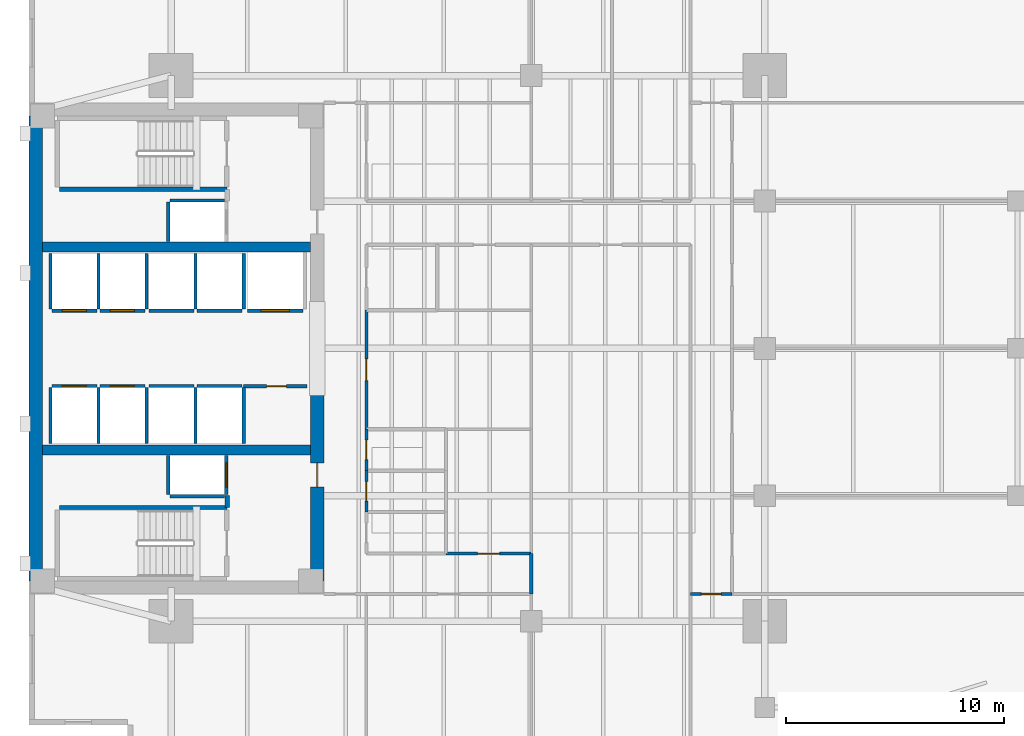
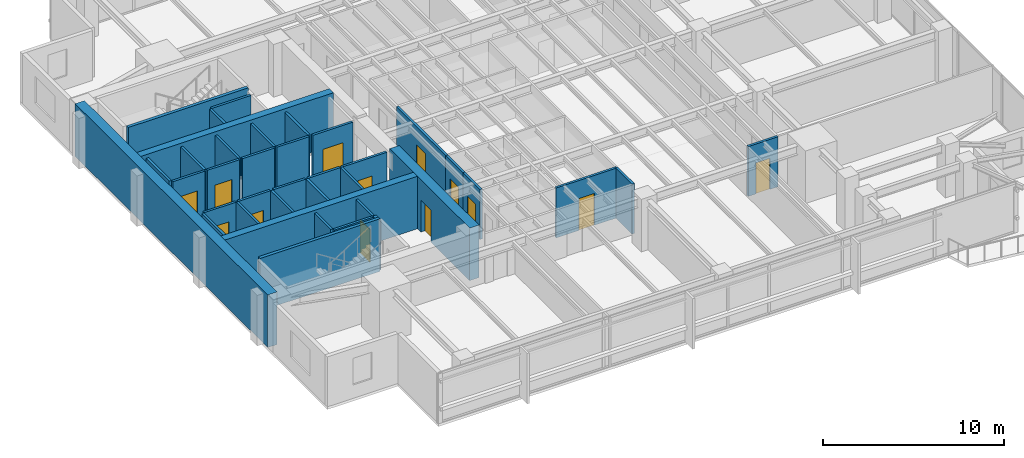
# One storey, part 8 of 14: 38 walls, 13 doors, 13 openings.
"""IFC4 building model written with IfcOpenShell, lengths in metres."""

import ifcopenshell
import ifcopenshell.guid

model = None  # the IFC model being written
_history = None  # IfcOwnerHistory: only IFC2X3 demands one
_inside = {}  # id of a spatial element -> (the spatial element, [elements in it])
_under = {}  # id of a project, library or spatial element -> (it, [spatial elements below it])
_declared = {}  # id of a project -> (the project, [libraries it declares])
_typed = {}  # id of a type object -> (the type object, [elements of that type])
_made_of = {}  # id of a material, layer set ... -> (it, [elements and type objects made of it])


def new_model(schema):
    """Start an empty IFC model of exactly this schema.

    Asked for "IFC4X3", IfcOpenShell would pick the latest addendum, in which some entities
    have other attributes; the version numbers below select the first issue.
    IFC2X3 requires an IfcOwnerHistory on every rooted entity: one is made here for all.
    """
    global model, _history
    if schema == "IFC4X3":
        model = ifcopenshell.file(schema_version=(4, 3, 0, 0))
    else:
        model = ifcopenshell.file(schema=schema)
    _inside.clear()
    _under.clear()
    _declared.clear()
    _typed.clear()
    _made_of.clear()
    _history = None
    if model.schema == "IFC2X3":
        org = make("IfcOrganization", Name="unknown")
        user = make(
            "IfcPersonAndOrganization",
            ThePerson=make("IfcPerson", FamilyName="unknown"),
            TheOrganization=org,
        )
        app = make(
            "IfcApplication",
            ApplicationDeveloper=org,
            Version="unknown",
            ApplicationFullName="unknown",
            ApplicationIdentifier="unknown",
        )
        _history = make(
            "IfcOwnerHistory",
            OwningUser=user,
            OwningApplication=app,
            ChangeAction="ADDED",
            CreationDate=0,
        )
    return model


def make(cls, **values):
    """One entity of the class cls with the attributes given. An attribute that is None is left unset."""
    return model.create_entity(
        cls, **{name: value for name, value in values.items() if value is not None}
    )


def rooted(cls, **values):
    """An entity with a GlobalId (a new one), such as an element, a storey or a relation."""
    return make(cls, GlobalId=ifcopenshell.guid.new(), OwnerHistory=_history, **values)


def si_unit(unit_type, name, prefix=None):
    """IfcSIUnit, for example si_unit("LENGTHUNIT", "METRE", prefix="MILLI")."""
    return make("IfcSIUnit", UnitType=unit_type, Prefix=prefix, Name=name)


def assignment(units):
    """IfcUnitAssignment: the units of a project."""
    return None if units is None else make("IfcUnitAssignment", Units=units)


def point(xyz):
    """IfcCartesianPoint."""
    return None if xyz is None else make("IfcCartesianPoint", Coordinates=xyz)


def direction(xyz):
    """IfcDirection."""
    return None if xyz is None else make("IfcDirection", DirectionRatios=xyz)


def frame(location, z_axis=None, x_axis=None):
    """IfcAxis2Placement3D, a coordinate frame: its origin and axes. An axis left out is left unset."""
    return make(
        "IfcAxis2Placement3D",
        Location=point(location),
        Axis=direction(z_axis),
        RefDirection=direction(x_axis),
    )


def frame_2d(location, x_axis=None):
    """IfcAxis2Placement2D, a coordinate frame in the plane: its origin and x axis."""
    return make(
        "IfcAxis2Placement2D", Location=point(location), RefDirection=direction(x_axis)
    )


def origin():
    """The frame at (0, 0, 0) with its axes left unset."""
    return frame((0.0, 0.0, 0.0))


def place(relative_to, where):
    """IfcLocalPlacement: puts the frame where relative to a parent placement (None: the world)."""
    return make(
        "IfcLocalPlacement", PlacementRelTo=relative_to, RelativePlacement=where
    )


def context(
    kind, dimensions, precision=None, world=None, true_north=None, identifier=None
):
    """IfcGeometricRepresentationContext, for example the 3D "Model" context."""
    return make(
        "IfcGeometricRepresentationContext",
        ContextIdentifier=identifier,
        ContextType=kind,
        CoordinateSpaceDimension=dimensions,
        Precision=precision,
        WorldCoordinateSystem=world,
        TrueNorth=true_north,
    )


def subcontext(parent, identifier, kind, view, scale=None):
    """IfcGeometricRepresentationSubContext, for example "Body" below "Model"."""
    return make(
        "IfcGeometricRepresentationSubContext",
        ContextIdentifier=identifier,
        ContextType=kind,
        ParentContext=parent,
        TargetScale=scale,
        TargetView=view,
    )


def project(units=None, contexts=None):
    """IfcProject with its units and contexts."""
    return rooted(
        "IfcProject",
        Name="project",
        RepresentationContexts=contexts,
        UnitsInContext=assignment(units),
    )


def spatial(cls, under=None, at=None, **own):
    """A site, building, storey or space (cls), placed at a placement, below another one or the project."""
    s = rooted(cls, ObjectPlacement=at, **own)
    if under is not None:
        _under.setdefault(under.id(), (under, []))[1].append(s)
    return s


def profile(cls, at=None, kind="AREA", **sizes):
    """A parametric profile (cls). Its sizes go by their IFC names, for example OverallWidth=200.0."""
    return make(cls, ProfileType=kind, Position=at, **sizes)


def rectangle(**sizes):
    """IfcRectangleProfileDef."""
    return profile("IfcRectangleProfileDef", **sizes)


def extrude(swept, where, along, depth):
    """IfcExtrudedAreaSolid: the profile swept, set in the frame where, extruded along a direction by depth."""
    return make(
        "IfcExtrudedAreaSolid",
        SweptArea=swept,
        Position=where,
        ExtrudedDirection=direction(along),
        Depth=depth,
    )


def shape(context_of_items, identifier, shape_type, items):
    """IfcShapeRepresentation: the items that make up one representation, for example the "Body"."""
    return make(
        "IfcShapeRepresentation",
        ContextOfItems=context_of_items,
        RepresentationIdentifier=identifier,
        RepresentationType=shape_type,
        Items=items,
    )


def material(Name=None, Category=None):
    """IfcMaterial."""
    return make("IfcMaterial", Name=Name, Category=Category)


def layer(
    of_material, thickness, ventilated=None, Name=None, Category=None, Priority=None
):
    """IfcMaterialLayer: one layer of a wall or slab, of a material (None: an air gap)."""
    return make(
        "IfcMaterialLayer",
        Material=of_material,
        LayerThickness=thickness,
        IsVentilated=ventilated,
        Name=Name,
        Category=Category,
        Priority=Priority,
    )


def layer_set(layers, Name=None):
    """IfcMaterialLayerSet."""
    return make("IfcMaterialLayerSet", MaterialLayers=layers, LayerSetName=Name)


def made_of(thing, what):
    """Note that an element or type object is made of a material, layer set ...; save() writes the relation."""
    if what is not None:
        _made_of.setdefault(what.id(), (what, []))[1].append(thing)
    return thing


def type_object(cls, material=None, **own):
    """A type object (cls), such as IfcWallType, which elements share."""
    return made_of(rooted(cls, **own), material)


def element(
    cls,
    number,
    at=None,
    inside=None,
    cuts=None,
    type_object=None,
    material=None,
    context=None,
    identifier="Body",
    shape_type=None,
    held_by="IfcProductDefinitionShape",
    body=None,
    shapes=None,
    **own,
):
    """One element of the class cls, such as IfcWall. Its Tag is "e" and its number.

    at: its placement. inside: the storey or other place that contains it. cuts: it is an
    opening in that element (IfcRelVoidsElement). A single representation is given by context,
    identifier, shape_type and body (its items); several are given by shapes. held_by: the class
    of the entity that holds the representations. save() writes the other relations.
    """
    e = rooted(cls, Tag="e%d" % number, ObjectPlacement=at, **own)
    if body is not None:
        shapes = [shape(context, identifier, shape_type, body)]
    if shapes is not None:
        e.Representation = make(held_by, Representations=shapes)
    if inside is not None:
        _inside.setdefault(inside.id(), (inside, []))[1].append(e)
    if cuts is not None:
        rooted(
            "IfcRelVoidsElement", RelatingBuildingElement=cuts, RelatedOpeningElement=e
        )
    if type_object is not None:
        _typed.setdefault(type_object.id(), (type_object, []))[1].append(e)
    return made_of(e, material)


def fill(opening, filler):
    """IfcRelFillsElement: the door or window that sits in an opening."""
    return rooted(
        "IfcRelFillsElement",
        RelatingOpeningElement=opening,
        RelatedBuildingElement=filler,
    )


def aggregate(whole, parts):
    """IfcRelAggregates: a whole, such as a stair, and the parts it consists of."""
    return rooted("IfcRelAggregates", RelatingObject=whole, RelatedObjects=parts)


def save(model, path):
    """Write the relations noted so far, then the file.

    IfcRelAggregates (storeys below a building ...), IfcRelContainedInSpatialStructure (elements
    in a storey), IfcRelDefinesByType, IfcRelAssociatesMaterial and IfcRelDeclares: one each for
    every whole, place, type object, material and project.
    """
    for whole, parts in _under.values():
        aggregate(whole, parts)
    for where, things in _inside.values():
        rooted(
            "IfcRelContainedInSpatialStructure",
            RelatedElements=things,
            RelatingStructure=where,
        )
    for kind, things in _typed.values():
        rooted("IfcRelDefinesByType", RelatedObjects=things, RelatingType=kind)
    for what, things in _made_of.values():
        rooted("IfcRelAssociatesMaterial", RelatedObjects=things, RelatingMaterial=what)
    for by, libraries in _declared.values():
        rooted("IfcRelDeclares", RelatingContext=by, RelatedDefinitions=libraries)
    model.write(path)


model = new_model("IFC4")

# Units and contexts
model_context = context("Model", 3, precision=1e-05, world=origin(), true_north=direction((0.0, 1.0)))
body_context = subcontext(model_context, "Body", "Model", "MODEL_VIEW")
ifc_project = project(units=[si_unit("LENGTHUNIT", "METRE"), si_unit("AREAUNIT", "SQUARE_METRE"), si_unit("VOLUMEUNIT", "CUBIC_METRE"), si_unit("PLANEANGLEUNIT", "RADIAN"), si_unit("MASSUNIT", "GRAM", prefix="KILO")], contexts=[model_context])

# Site, building, storey
site_placement = place(None, origin())
site = spatial("IfcSite", under=ifc_project, at=site_placement, CompositionType="ELEMENT")
building_placement = place(site_placement, origin())
building = spatial("IfcBuilding", under=site, at=building_placement, Name="Kinhvarn Gate Tower", CompositionType="ELEMENT")
storey_placement = place(building_placement, frame((0.0, 0.0, 148.39990234375)))
storey = spatial("IfcBuildingStorey", under=building, at=storey_placement, Name="L39", CompositionType="ELEMENT", Elevation=148.39990234375)

# Walls
ifc_material_1 = material(Name="Concrete C50/60", Category="concrete")
ifc_layer_1 = layer(ifc_material_1, 0.449951171875)
ifc_layer_set_1 = layer_set([ifc_layer_1], Name="Concrete C50/60")
wall_type_1 = type_object("IfcWallType", Name="WL-CORE-450", PredefinedType="SHEAR", material=ifc_layer_set_1)
for number, where, z_axis, x_axis, name in (
    (1, (5.10009765625, 20.60009765625, 0.0), (0.0, 0.0, 1.0), (1.0, 0.0, 0.0), "Core South Spine Shear Wall L39 450 mm"),
    (2, (5.10009765625, 29.89990234375, 0.0), (0.0, 0.0, 1.0), (1.0, 0.0, 0.0), "Core North Spine Shear Wall L39 450 mm"),
):
    element("IfcWall", number, at=place(storey_placement, frame(where, z_axis=z_axis, x_axis=x_axis)), inside=storey, type_object=wall_type_1, Name=name, PredefinedType="SHEAR", context=body_context, shape_type="SweptSolid", body=[
        extrude(rectangle(XDim=12.2998046875, YDim=0.449951171875, at=frame_2d((6.14990234375, 0.0))), origin(), (0.0, 0.0, 1.0), 3.550048828125),
    ])

# Wall, opening, door
ifc_material_2 = material(Name="Concrete C60/75", Category="concrete")
ifc_layer_2 = layer(ifc_material_2, 0.60009765625)
ifc_layer_set_2 = layer_set([ifc_layer_2], Name="Concrete C60/75")
wall_type_2 = type_object("IfcWallType", Name="WL-CORE-600", PredefinedType="SHEAR", material=ifc_layer_set_2)
wall_1_placement = place(storey_placement, frame((17.699951171875, 14.60009765625, 0.0), z_axis=(0.0, 0.0, 1.0), x_axis=(0.0, 1.0, 0.0)))
wall_1 = element("IfcWall", 3, at=wall_1_placement, inside=storey, type_object=wall_type_2, Name="Core East-South Shear Pier L39 600 mm", PredefinedType="SHEAR", context=body_context, shape_type="SweptSolid", body=[
    extrude(rectangle(XDim=8.849853515625, YDim=0.60009765625, at=frame_2d((4.4248046875, 0.0))), origin(), (0.0, 0.0, 1.0), 3.550048828125),
])
opening_1_placement = place(wall_1_placement, frame((4.300048828125, 0.0, 0.0)))
opening_1 = element("IfcOpeningElement", 4, at=opening_1_placement, cuts=wall_1, Name="Opening FD-02", PredefinedType="OPENING", context=body_context, shape_type="SweptSolid", body=[
    extrude(rectangle(XDim=1.10009765625, YDim=2.14990234375, at=frame_2d((0.550048828125, 1.074951171875))), frame((0.0, 0.31005859375, 0.0), z_axis=(0.0, -1.0, 0.0), x_axis=(1.0, 0.0, 0.0)), (0.0, 0.0, 1.0), 0.6201171875),
])
ifc_material_3 = material(Name="Anodised aluminium AW-6063", Category="aluminium")
door_type_1 = type_object("IfcDoorType", Name="DR-FD-1100", OperationType="NOTDEFINED", PredefinedType="DOOR", material=ifc_material_3)
door_1_placement = place(opening_1_placement, origin())
door_1 = element("IfcDoor", 5, at=door_1_placement, inside=storey, type_object=door_type_1, Name="Firefighting Lobby Core Door (L39)", OperationType="SINGLE_SWING_RIGHT", OverallHeight=2.14990234375, OverallWidth=1.10009765625, PredefinedType="DOOR", context=body_context, shape_type="SweptSolid", body=[
    extrude(rectangle(XDim=1.10009765625, YDim=2.14990234375, at=frame_2d((0.550048828125, 1.074951171875))), frame((0.0, 0.02490234375, 0.0), z_axis=(0.0, -1.0, 0.0), x_axis=(1.0, 0.0, 0.0)), (0.0, 0.0, 1.0), 0.050048828125),
])
fill(opening_1, door_1)

# Wall
ifc_layer_3 = layer(ifc_material_2, 0.60009765625)
ifc_layer_set_3 = layer_set([ifc_layer_3], Name="Concrete C60/75")
wall_type_3 = type_object("IfcWallType", Name="WL-COREX-600", PredefinedType="SHEAR", material=ifc_layer_set_3)
wall_2_placement = place(storey_placement, frame((4.800048828125, 14.60009765625, 0.0), z_axis=(0.0, 0.0, 1.0), x_axis=(0.0, 1.0, 0.0)))
element("IfcWall", 6, at=wall_2_placement, inside=storey, type_object=wall_type_3, Name="Core West Shear Wall L39 600 mm", PredefinedType="SHEAR", context=body_context, shape_type="SweptSolid", body=[
    extrude(rectangle(XDim=21.2998046875, YDim=0.60009765625, at=frame_2d((10.64990234375, 0.0))), origin(), (0.0, 0.0, 1.0), 3.550048828125),
])

# Wall, opening, door
ifc_material_4 = material(Name="Gypsum acoustic partition board")
ifc_layer_4 = layer(ifc_material_4, 0.14990234375)
ifc_layer_set_4 = layer_set([ifc_layer_4], Name="Gypsum acoustic partition board")
wall_type_4 = type_object("IfcWallType", Name="WL-PLM-150F", PredefinedType="PLUMBINGWALL", material=ifc_layer_set_4)
wall_3_placement = place(storey_placement, frame((19.949951171875, 17.75, 0.0), z_axis=(0.0, 0.0, 1.0), x_axis=(0.0, 1.0, 0.0)))
wall_3 = element("IfcWall", 7, at=wall_3_placement, inside=storey, type_object=wall_type_4, Name="Interior Partition PLW-150F (L39)", PredefinedType="PLUMBINGWALL", context=body_context, shape_type="SweptSolid", body=[
    extrude(rectangle(XDim=1.89990234375, YDim=0.14990234375, at=frame_2d((0.949951171875, 0.0))), origin(), (0.0, 0.0, 1.0), 3.3701171875),
])
opening_2_placement = place(wall_3_placement, frame((0.5, 0.0, 0.0)))
opening_2 = element("IfcOpeningElement", 8, at=opening_2_placement, cuts=wall_3, Name="Opening FD-04", PredefinedType="OPENING", context=body_context, shape_type="SweptSolid", body=[
    extrude(rectangle(XDim=0.89990234375, YDim=2.10009765625, at=frame_2d((0.449951171875, 1.050048828125))), frame((0.0, 0.0849609375, 0.0), z_axis=(0.0, -1.0, 0.0), x_axis=(1.0, 0.0, 0.0)), (0.0, 0.0, 1.0), 0.169921875),
])
door_type_2 = type_object("IfcDoorType", Name="DR-FD-900", OperationType="NOTDEFINED", PredefinedType="DOOR", material=ifc_material_3)
door_2_placement = place(opening_2_placement, origin())
door_2 = element("IfcDoor", 9, at=door_2_placement, inside=storey, type_object=door_type_2, Name="Rated Riser & Service Closet Fire Door 900x2100 mm (L39)", OperationType="SINGLE_SWING_LEFT", OverallHeight=2.10009765625, OverallWidth=0.89990234375, PredefinedType="DOOR", context=body_context, shape_type="SweptSolid", body=[
    extrude(rectangle(XDim=0.89990234375, YDim=2.10009765625, at=frame_2d((0.449951171875, 1.050048828125))), frame((0.0, 0.02490234375, 0.0), z_axis=(0.0, -1.0, 0.0), x_axis=(1.0, 0.0, 0.0)), (0.0, 0.0, 1.0), 0.050048828125),
])
fill(opening_2, door_2)

wall_4_placement = place(storey_placement, frame((19.949951171875, 19.64990234375, 0.0), z_axis=(0.0, 0.0, 1.0), x_axis=(0.0, 1.0, 0.0)))
wall_4 = element("IfcWall", 10, at=wall_4_placement, inside=storey, type_object=wall_type_4, Name="Interior Partition PLW-150F (L39)", PredefinedType="PLUMBINGWALL", context=body_context, shape_type="SweptSolid", body=[
    extrude(rectangle(XDim=1.900146484375, YDim=0.14990234375, at=frame_2d((0.9501953125, 0.0))), origin(), (0.0, 0.0, 1.0), 3.3701171875),
])
opening_3_placement = place(wall_4_placement, frame((0.5, 0.0, 0.0)))
opening_3 = element("IfcOpeningElement", 11, at=opening_3_placement, cuts=wall_4, Name="Opening FD-04", PredefinedType="OPENING", context=body_context, shape_type="SweptSolid", body=[
    extrude(rectangle(XDim=0.89990234375, YDim=2.10009765625, at=frame_2d((0.449951171875, 1.050048828125))), frame((0.0, 0.0849609375, 0.0), z_axis=(0.0, -1.0, 0.0), x_axis=(1.0, 0.0, 0.0)), (0.0, 0.0, 1.0), 0.169921875),
])
door_3_placement = place(opening_3_placement, origin())
door_3 = element("IfcDoor", 12, at=door_3_placement, inside=storey, type_object=door_type_2, Name="Rated Riser & Service Closet Fire Door 900x2100 mm (L39)", OperationType="SINGLE_SWING_RIGHT", OverallHeight=2.10009765625, OverallWidth=0.89990234375, PredefinedType="DOOR", context=body_context, shape_type="SweptSolid", body=[
    extrude(rectangle(XDim=0.89990234375, YDim=2.10009765625, at=frame_2d((0.449951171875, 1.050048828125))), frame((0.0, 0.02490234375, 0.0), z_axis=(0.0, -1.0, 0.0), x_axis=(1.0, 0.0, 0.0)), (0.0, 0.0, 1.0), 0.050048828125),
])
fill(opening_3, door_3)

ifc_layer_5 = layer(ifc_material_4, 0.14990234375)
ifc_layer_set_5 = layer_set([ifc_layer_5], Name="Gypsum acoustic partition board")
wall_type_5 = type_object("IfcWallType", Name="WL-PRT-150F", PredefinedType="PARTITIONING", material=ifc_layer_set_5)
wall_5_placement = place(storey_placement, frame((14.330078125, 23.52001953125, 0.0), z_axis=(0.0, 0.0, 1.0), x_axis=(1.0, 0.0, 0.0)))
wall_5 = element("IfcWall", 13, at=wall_5_placement, inside=storey, type_object=wall_type_5, Name="Interior Partition PW-150F (L39)", PredefinedType="PARTITIONING", context=body_context, shape_type="SweptSolid", body=[
    extrude(rectangle(XDim=2.889892578125, YDim=0.14990234375, at=frame_2d((1.44482421875, 0.0))), origin(), (0.0, 0.0, 1.0), 3.3701171875),
])
opening_4_placement = place(wall_5_placement, frame((1.052734375, 0.0, 0.0)))
opening_4 = element("IfcOpeningElement", 14, at=opening_4_placement, cuts=wall_5, Name="Opening FD-04", PredefinedType="OPENING", context=body_context, shape_type="SweptSolid", body=[
    extrude(rectangle(XDim=0.89990234375, YDim=2.10009765625, at=frame_2d((0.449951171875, 1.050048828125))), frame((0.0, 0.0849609375, 0.0), z_axis=(0.0, -1.0, 0.0), x_axis=(1.0, 0.0, 0.0)), (0.0, 0.0, 1.0), 0.169921875),
])
door_4_placement = place(opening_4_placement, origin())
door_4 = element("IfcDoor", 15, at=door_4_placement, inside=storey, type_object=door_type_2, Name="Rated Riser & Service Closet Fire Door 900x2100 mm (L39)", OperationType="SINGLE_SWING_LEFT", OverallHeight=2.10009765625, OverallWidth=0.89990234375, PredefinedType="DOOR", context=body_context, shape_type="SweptSolid", body=[
    extrude(rectangle(XDim=0.89990234375, YDim=2.10009765625, at=frame_2d((0.449951171875, 1.050048828125))), frame((0.0, 0.02490234375, 0.0), z_axis=(0.0, -1.0, 0.0), x_axis=(1.0, 0.0, 0.0)), (0.0, 0.0, 1.0), 0.050048828125),
])
fill(opening_4, door_4)

wall_6_placement = place(storey_placement, frame((19.949951171875, 21.550048828125, 0.0), z_axis=(0.0, 0.0, 1.0), x_axis=(0.0, 1.0, 0.0)))
wall_6 = element("IfcWall", 16, at=wall_6_placement, inside=storey, type_object=wall_type_5, Name="Interior Partition PW-150F (L39)", PredefinedType="PARTITIONING", context=body_context, shape_type="SweptSolid", body=[
    extrude(rectangle(XDim=5.449951171875, YDim=0.14990234375, at=frame_2d((2.72509765625, 0.0))), origin(), (0.0, 0.0, 1.0), 3.3701171875),
])
opening_5_placement = place(wall_6_placement, frame((2.22509765625, 0.0, 0.0)))
opening_5 = element("IfcOpeningElement", 17, at=opening_5_placement, cuts=wall_6, Name="Opening ID-02", PredefinedType="OPENING", context=body_context, shape_type="SweptSolid", body=[
    extrude(rectangle(XDim=1.0, YDim=2.14990234375, at=frame_2d((0.5, 1.074951171875))), frame((0.0, 0.0849609375, 0.0), z_axis=(0.0, -1.0, 0.0), x_axis=(1.0, 0.0, 0.0)), (0.0, 0.0, 1.0), 0.169921875),
])
door_type_3 = type_object("IfcDoorType", Name="DR-INT-1000", OperationType="NOTDEFINED", PredefinedType="DOOR", material=ifc_material_3)
door_5_placement = place(opening_5_placement, origin())
door_5 = element("IfcDoor", 18, at=door_5_placement, inside=storey, type_object=door_type_3, Name="Standard Office & Meeting Room Door 1000x2150 mm (L39)", OperationType="SINGLE_SWING_LEFT", OverallHeight=2.14990234375, OverallWidth=1.0, PredefinedType="DOOR", context=body_context, shape_type="SweptSolid", body=[
    extrude(rectangle(XDim=1.0, YDim=2.14990234375, at=frame_2d((0.5, 1.074951171875))), frame((0.0, 0.02490234375, 0.0), z_axis=(0.0, -1.0, 0.0), x_axis=(1.0, 0.0, 0.0)), (0.0, 0.0, 1.0), 0.050048828125),
])
fill(opening_5, door_5)

wall_7_placement = place(storey_placement, frame((23.60009765625, 15.85009765625, 0.0), z_axis=(0.0, 0.0, 1.0), x_axis=(1.0, 0.0, 0.0)))
wall_7 = element("IfcWall", 19, at=wall_7_placement, inside=storey, type_object=wall_type_5, Name="Interior Partition PW-150F (L39)", PredefinedType="PARTITIONING", context=body_context, shape_type="SweptSolid", body=[
    extrude(rectangle(XDim=3.89990234375, YDim=0.14990234375, at=frame_2d((1.949951171875, 0.0))), origin(), (0.0, 0.0, 1.0), 3.3701171875),
])
opening_6_placement = place(wall_7_placement, frame((1.449951171875, 0.0, 0.0)))
opening_6 = element("IfcOpeningElement", 20, at=opening_6_placement, cuts=wall_7, Name="Opening ID-02", PredefinedType="OPENING", context=body_context, shape_type="SweptSolid", body=[
    extrude(rectangle(XDim=1.0, YDim=2.14990234375, at=frame_2d((0.5, 1.074951171875))), frame((0.0, 0.0849609375, 0.0), z_axis=(0.0, -1.0, 0.0), x_axis=(1.0, 0.0, 0.0)), (0.0, 0.0, 1.0), 0.169921875),
])
door_6_placement = place(opening_6_placement, origin())
door_6 = element("IfcDoor", 21, at=door_6_placement, inside=storey, type_object=door_type_3, Name="Standard Office & Meeting Room Door 1000x2150 mm (L39)", OperationType="SINGLE_SWING_RIGHT", OverallHeight=2.14990234375, OverallWidth=1.0, PredefinedType="DOOR", context=body_context, shape_type="SweptSolid", body=[
    extrude(rectangle(XDim=1.0, YDim=2.14990234375, at=frame_2d((0.5, 1.074951171875))), frame((0.0, 0.02490234375, 0.0), z_axis=(0.0, -1.0, 0.0), x_axis=(1.0, 0.0, 0.0)), (0.0, 0.0, 1.0), 0.050048828125),
])
fill(opening_6, door_6)

# Wall
wall_8_placement = place(storey_placement, frame((27.5, 14.0, 0.0), z_axis=(0.0, 0.0, 1.0), x_axis=(0.0, 1.0, 0.0)))
element("IfcWall", 22, at=wall_8_placement, inside=storey, type_object=wall_type_5, Name="Interior Partition PW-150F (L39)", PredefinedType="PARTITIONING", context=body_context, shape_type="SweptSolid", body=[
    extrude(rectangle(XDim=1.85009765625, YDim=0.14990234375, at=frame_2d((0.925048828125, 0.0))), origin(), (0.0, 0.0, 1.0), 3.3701171875),
])

# Wall, opening, door
wall_9_placement = place(storey_placement, frame((34.800048828125, 14.0, 0.0), z_axis=(0.0, 0.0, 1.0), x_axis=(1.0, 0.0, 0.0)))
wall_9 = element("IfcWall", 23, at=wall_9_placement, inside=storey, type_object=wall_type_5, Name="Interior Partition PW-150F (L39)", PredefinedType="PARTITIONING", context=body_context, shape_type="SweptSolid", body=[
    extrude(rectangle(XDim=1.89990234375, YDim=0.14990234375, at=frame_2d((0.949951171875, 0.0))), origin(), (0.0, 0.0, 1.0), 3.3701171875),
])
opening_7_placement = place(wall_9_placement, frame((0.5, 0.0, 0.0)))
opening_7 = element("IfcOpeningElement", 24, at=opening_7_placement, cuts=wall_9, Name="Opening ID-03", PredefinedType="OPENING", context=body_context, shape_type="SweptSolid", body=[
    extrude(rectangle(XDim=0.89990234375, YDim=2.10009765625, at=frame_2d((0.449951171875, 1.050048828125))), frame((0.0, 0.0849609375, 0.0), z_axis=(0.0, -1.0, 0.0), x_axis=(1.0, 0.0, 0.0)), (0.0, 0.0, 1.0), 0.169921875),
])
door_type_4 = type_object("IfcDoorType", Name="DR-INT-900", OperationType="NOTDEFINED", PredefinedType="DOOR", material=ifc_material_3)
door_7_placement = place(opening_7_placement, origin())
door_7 = element("IfcDoor", 25, at=door_7_placement, inside=storey, type_object=door_type_4, Name="Cellular Office & Restroom Door 900x2100 mm (L39)", OperationType="SINGLE_SWING_RIGHT", OverallHeight=2.10009765625, OverallWidth=0.89990234375, PredefinedType="DOOR", context=body_context, shape_type="SweptSolid", body=[
    extrude(rectangle(XDim=0.89990234375, YDim=2.10009765625, at=frame_2d((0.449951171875, 1.050048828125))), frame((0.0, 0.02490234375, 0.0), z_axis=(0.0, -1.0, 0.0), x_axis=(1.0, 0.0, 0.0)), (0.0, 0.0, 1.0), 0.050048828125),
])
fill(opening_7, door_7)

# Wall
ifc_layer_6 = layer(ifc_material_4, 0.199951171875)
ifc_layer_set_6 = layer_set([ifc_layer_6], Name="Gypsum acoustic partition board")
wall_type_6 = type_object("IfcWallType", Name="WL-PRT-200", PredefinedType="PARTITIONING", material=ifc_layer_set_6)
wall_10_placement = place(storey_placement, frame((13.580078125, 17.9599609375, 0.0), z_axis=(0.0, 0.0, 1.0), x_axis=(0.0, 1.0, 0.0)))
element("IfcWall", 26, at=wall_10_placement, inside=storey, type_object=wall_type_6, Name="Interior Partition PW-200 (L39)", PredefinedType="PARTITIONING", context=body_context, shape_type="SweptSolid", body=[
    extrude(rectangle(XDim=0.5400390625, YDim=0.199951171875, at=frame_2d((0.27001953125, 0.0))), origin(), (0.0, 0.0, 1.0), 3.3701171875),
])

# Wall, opening, door
ifc_layer_7 = layer(ifc_material_4, 0.14990234375)
ifc_layer_set_7 = layer_set([ifc_layer_7], Name="Gypsum acoustic partition board")
wall_type_7 = type_object("IfcWallType", Name="WL-SHF-150", PredefinedType="PARTITIONING", material=ifc_layer_set_7)
wall_11_placement = place(storey_placement, frame((5.550048828125, 23.52490234375, 0.0), z_axis=(0.0, 0.0, 1.0), x_axis=(1.0, 0.0, 0.0)))
wall_11 = element("IfcWall", 27, at=wall_11_placement, inside=storey, type_object=wall_type_7, Name="Elevator PM-05 Landing Wall (L39)", PredefinedType="PARTITIONING", context=body_context, shape_type="SweptSolid", body=[
    extrude(rectangle(XDim=2.050048828125, YDim=0.14990234375, at=frame_2d((1.02490234375, 0.0))), origin(), (0.0, 0.0, 1.0), 3.3701171875),
])
opening_8_placement = place(wall_11_placement, frame((0.47509765625, 0.0, 0.0)))
opening_8 = element("IfcOpeningElement", 28, at=opening_8_placement, cuts=wall_11, Name="Opening LD-01", PredefinedType="OPENING", context=body_context, shape_type="SweptSolid", body=[
    extrude(rectangle(XDim=1.10009765625, YDim=2.199951171875, at=frame_2d((0.550048828125, 1.10009765625))), frame((0.0, 0.0849609375, 0.0), z_axis=(0.0, -1.0, 0.0), x_axis=(1.0, 0.0, 0.0)), (0.0, 0.0, 1.0), 0.169921875),
])
door_type_5 = type_object("IfcDoorType", Name="DR-LND-PAS", OperationType="NOTDEFINED", PredefinedType="DOOR", material=ifc_material_3)
door_8_placement = place(opening_8_placement, origin())
door_8 = element("IfcDoor", 29, at=door_8_placement, inside=storey, type_object=door_type_5, Name="Elevator PM-05 Sliding Landing Door (L39)", OperationType="DOUBLE_DOOR_SLIDING", OverallHeight=2.199951171875, OverallWidth=1.10009765625, PredefinedType="DOOR", context=body_context, shape_type="SweptSolid", body=[
    extrude(rectangle(XDim=1.10009765625, YDim=2.199951171875, at=frame_2d((0.550048828125, 1.10009765625))), frame((0.0, 0.02490234375, 0.0), z_axis=(0.0, -1.0, 0.0), x_axis=(1.0, 0.0, 0.0)), (0.0, 0.0, 1.0), 0.050048828125),
])
fill(opening_8, door_8)

# Walls
for number, where, z_axis, x_axis, name in (
    (30, (5.47509765625, 20.89990234375, 0.0), (0.0, 0.0, 1.0), (0.0, 1.0, 0.0), "Elevator PM-05 Hoistway Wall W (L39)"),
    (31, (7.675048828125, 20.89990234375, 0.0), (0.0, 0.0, 1.0), (0.0, 1.0, 0.0), "Elevator PM-05 Hoistway Wall E (L39)"),
):
    element("IfcWall", number, at=place(storey_placement, frame(where, z_axis=z_axis, x_axis=x_axis)), inside=storey, type_object=wall_type_7, Name=name, PredefinedType="PARTITIONING", context=body_context, shape_type="SweptSolid", body=[
        extrude(rectangle(XDim=2.550048828125, YDim=0.14990234375, at=frame_2d((1.27490234375, 0.0))), origin(), (0.0, 0.0, 1.0), 3.3701171875),
    ])

# Wall, opening, door
wall_12_placement = place(storey_placement, frame((7.75, 23.52490234375, 0.0), z_axis=(0.0, 0.0, 1.0), x_axis=(1.0, 0.0, 0.0)))
wall_12 = element("IfcWall", 32, at=wall_12_placement, inside=storey, type_object=wall_type_7, Name="Elevator PM-06 Landing Wall (L39)", PredefinedType="PARTITIONING", context=body_context, shape_type="SweptSolid", body=[
    extrude(rectangle(XDim=2.050048828125, YDim=0.14990234375, at=frame_2d((1.02490234375, 0.0))), origin(), (0.0, 0.0, 1.0), 3.3701171875),
])
opening_9_placement = place(wall_12_placement, frame((0.47509765625, 0.0, 0.0)))
opening_9 = element("IfcOpeningElement", 33, at=opening_9_placement, cuts=wall_12, Name="Opening LD-01", PredefinedType="OPENING", context=body_context, shape_type="SweptSolid", body=[
    extrude(rectangle(XDim=1.10009765625, YDim=2.199951171875, at=frame_2d((0.550048828125, 1.10009765625))), frame((0.0, 0.0849609375, 0.0), z_axis=(0.0, -1.0, 0.0), x_axis=(1.0, 0.0, 0.0)), (0.0, 0.0, 1.0), 0.169921875),
])
door_9_placement = place(opening_9_placement, origin())
door_9 = element("IfcDoor", 34, at=door_9_placement, inside=storey, type_object=door_type_5, Name="Elevator PM-06 Sliding Landing Door (L39)", OperationType="DOUBLE_DOOR_SLIDING", OverallHeight=2.199951171875, OverallWidth=1.10009765625, PredefinedType="DOOR", context=body_context, shape_type="SweptSolid", body=[
    extrude(rectangle(XDim=1.10009765625, YDim=2.199951171875, at=frame_2d((0.550048828125, 1.10009765625))), frame((0.0, 0.02490234375, 0.0), z_axis=(0.0, -1.0, 0.0), x_axis=(1.0, 0.0, 0.0)), (0.0, 0.0, 1.0), 0.050048828125),
])
fill(opening_9, door_9)

# Wall
wall_13_placement = place(storey_placement, frame((9.875, 20.89990234375, 0.0), z_axis=(0.0, 0.0, 1.0), x_axis=(0.0, 1.0, 0.0)))
element("IfcWall", 35, at=wall_13_placement, inside=storey, type_object=wall_type_7, Name="Elevator PM-06 Hoistway Wall E (L39)", PredefinedType="PARTITIONING", context=body_context, shape_type="SweptSolid", body=[
    extrude(rectangle(XDim=2.550048828125, YDim=0.14990234375, at=frame_2d((1.27490234375, 0.0))), origin(), (0.0, 0.0, 1.0), 3.3701171875),
])

# Wall, opening, door
wall_14_placement = place(storey_placement, frame((5.550048828125, 26.97509765625, 0.0), z_axis=(0.0, 0.0, 1.0), x_axis=(1.0, 0.0, 0.0)))
wall_14 = element("IfcWall", 36, at=wall_14_placement, inside=storey, type_object=wall_type_7, Name="Elevator PM-07 Landing Wall (L39)", PredefinedType="PARTITIONING", context=body_context, shape_type="SweptSolid", body=[
    extrude(rectangle(XDim=2.050048828125, YDim=0.14990234375, at=frame_2d((1.02490234375, 0.0))), origin(), (0.0, 0.0, 1.0), 3.3701171875),
])
opening_10_placement = place(wall_14_placement, frame((0.47509765625, 0.0, 0.0)))
opening_10 = element("IfcOpeningElement", 37, at=opening_10_placement, cuts=wall_14, Name="Opening LD-01", PredefinedType="OPENING", context=body_context, shape_type="SweptSolid", body=[
    extrude(rectangle(XDim=1.10009765625, YDim=2.199951171875, at=frame_2d((0.550048828125, 1.10009765625))), frame((0.0, 0.0849609375, 0.0), z_axis=(0.0, -1.0, 0.0), x_axis=(1.0, 0.0, 0.0)), (0.0, 0.0, 1.0), 0.169921875),
])
door_10_placement = place(opening_10_placement, origin())
door_10 = element("IfcDoor", 38, at=door_10_placement, inside=storey, type_object=door_type_5, Name="Elevator PM-07 Sliding Landing Door (L39)", OperationType="DOUBLE_DOOR_SLIDING", OverallHeight=2.199951171875, OverallWidth=1.10009765625, PredefinedType="DOOR", context=body_context, shape_type="SweptSolid", body=[
    extrude(rectangle(XDim=1.10009765625, YDim=2.199951171875, at=frame_2d((0.550048828125, 1.10009765625))), frame((0.0, 0.02490234375, 0.0), z_axis=(0.0, -1.0, 0.0), x_axis=(1.0, 0.0, 0.0)), (0.0, 0.0, 1.0), 0.050048828125),
])
fill(opening_10, door_10)

# Walls
for number, where, z_axis, x_axis, name in (
    (39, (5.47509765625, 27.050048828125, 0.0), (0.0, 0.0, 1.0), (0.0, 1.0, 0.0), "Elevator PM-07 Hoistway Wall W (L39)"),
    (40, (7.675048828125, 27.050048828125, 0.0), (0.0, 0.0, 1.0), (0.0, 1.0, 0.0), "Elevator PM-07 Hoistway Wall E (L39)"),
):
    element("IfcWall", number, at=place(storey_placement, frame(where, z_axis=z_axis, x_axis=x_axis)), inside=storey, type_object=wall_type_7, Name=name, PredefinedType="PARTITIONING", context=body_context, shape_type="SweptSolid", body=[
        extrude(rectangle(XDim=2.550048828125, YDim=0.14990234375, at=frame_2d((1.27490234375, 0.0))), origin(), (0.0, 0.0, 1.0), 3.3701171875),
    ])

# Wall, opening, door
wall_15_placement = place(storey_placement, frame((7.75, 26.97509765625, 0.0), z_axis=(0.0, 0.0, 1.0), x_axis=(1.0, 0.0, 0.0)))
wall_15 = element("IfcWall", 41, at=wall_15_placement, inside=storey, type_object=wall_type_7, Name="Elevator PM-08 Landing Wall (L39)", PredefinedType="PARTITIONING", context=body_context, shape_type="SweptSolid", body=[
    extrude(rectangle(XDim=2.050048828125, YDim=0.14990234375, at=frame_2d((1.02490234375, 0.0))), origin(), (0.0, 0.0, 1.0), 3.3701171875),
])
opening_11_placement = place(wall_15_placement, frame((0.47509765625, 0.0, 0.0)))
opening_11 = element("IfcOpeningElement", 42, at=opening_11_placement, cuts=wall_15, Name="Opening LD-01", PredefinedType="OPENING", context=body_context, shape_type="SweptSolid", body=[
    extrude(rectangle(XDim=1.10009765625, YDim=2.199951171875, at=frame_2d((0.550048828125, 1.10009765625))), frame((0.0, 0.0849609375, 0.0), z_axis=(0.0, -1.0, 0.0), x_axis=(1.0, 0.0, 0.0)), (0.0, 0.0, 1.0), 0.169921875),
])
door_11_placement = place(opening_11_placement, origin())
door_11 = element("IfcDoor", 43, at=door_11_placement, inside=storey, type_object=door_type_5, Name="Elevator PM-08 Sliding Landing Door (L39)", OperationType="DOUBLE_DOOR_SLIDING", OverallHeight=2.199951171875, OverallWidth=1.10009765625, PredefinedType="DOOR", context=body_context, shape_type="SweptSolid", body=[
    extrude(rectangle(XDim=1.10009765625, YDim=2.199951171875, at=frame_2d((0.550048828125, 1.10009765625))), frame((0.0, 0.02490234375, 0.0), z_axis=(0.0, -1.0, 0.0), x_axis=(1.0, 0.0, 0.0)), (0.0, 0.0, 1.0), 0.050048828125),
])
fill(opening_11, door_11)

# Walls
wall_16_placement = place(storey_placement, frame((9.875, 27.050048828125, 0.0), z_axis=(0.0, 0.0, 1.0), x_axis=(0.0, 1.0, 0.0)))
element("IfcWall", 44, at=wall_16_placement, inside=storey, type_object=wall_type_7, Name="Elevator PM-08 Hoistway Wall E (L39)", PredefinedType="PARTITIONING", context=body_context, shape_type="SweptSolid", body=[
    extrude(rectangle(XDim=2.550048828125, YDim=0.14990234375, at=frame_2d((1.27490234375, 0.0))), origin(), (0.0, 0.0, 1.0), 3.3701171875),
])
wall_17_placement = place(storey_placement, frame((10.0, 23.52490234375, 0.0), z_axis=(0.0, 0.0, 1.0), x_axis=(1.0, 0.0, 0.0)))
element("IfcWall", 45, at=wall_17_placement, inside=storey, type_object=wall_type_7, Name="Elevator PH-09 Landing Wall (L39)", PredefinedType="PARTITIONING", context=body_context, shape_type="SweptSolid", body=[
    extrude(rectangle(XDim=2.050048828125, YDim=0.14990234375, at=frame_2d((1.02490234375, 0.0))), origin(), (0.0, 0.0, 1.0), 3.3701171875),
])
wall_18_placement = place(storey_placement, frame((12.125, 20.89990234375, 0.0), z_axis=(0.0, 0.0, 1.0), x_axis=(0.0, 1.0, 0.0)))
element("IfcWall", 46, at=wall_18_placement, inside=storey, type_object=wall_type_7, Name="Elevator PH-09 Hoistway Wall E (L39)", PredefinedType="PARTITIONING", context=body_context, shape_type="SweptSolid", body=[
    extrude(rectangle(XDim=2.550048828125, YDim=0.14990234375, at=frame_2d((1.27490234375, 0.0))), origin(), (0.0, 0.0, 1.0), 3.3701171875),
])
wall_19_placement = place(storey_placement, frame((12.199951171875, 23.52490234375, 0.0), z_axis=(0.0, 0.0, 1.0), x_axis=(1.0, 0.0, 0.0)))
element("IfcWall", 47, at=wall_19_placement, inside=storey, type_object=wall_type_7, Name="Elevator PH-10 Landing Wall (L39)", PredefinedType="PARTITIONING", context=body_context, shape_type="SweptSolid", body=[
    extrude(rectangle(XDim=2.050048828125, YDim=0.14990234375, at=frame_2d((1.02490234375, 0.0))), origin(), (0.0, 0.0, 1.0), 3.3701171875),
])
wall_20_placement = place(storey_placement, frame((14.324951171875, 20.89990234375, 0.0), z_axis=(0.0, 0.0, 1.0), x_axis=(0.0, 1.0, 0.0)))
element("IfcWall", 48, at=wall_20_placement, inside=storey, type_object=wall_type_7, Name="Elevator PH-10 Hoistway Wall E (L39)", PredefinedType="PARTITIONING", context=body_context, shape_type="SweptSolid", body=[
    extrude(rectangle(XDim=2.550048828125, YDim=0.14990234375, at=frame_2d((1.27490234375, 0.0))), origin(), (0.0, 0.0, 1.0), 3.3701171875),
])
wall_21_placement = place(storey_placement, frame((10.0, 26.97509765625, 0.0), z_axis=(0.0, 0.0, 1.0), x_axis=(1.0, 0.0, 0.0)))
element("IfcWall", 49, at=wall_21_placement, inside=storey, type_object=wall_type_7, Name="Elevator PH-11 Landing Wall (L39)", PredefinedType="PARTITIONING", context=body_context, shape_type="SweptSolid", body=[
    extrude(rectangle(XDim=2.050048828125, YDim=0.14990234375, at=frame_2d((1.02490234375, 0.0))), origin(), (0.0, 0.0, 1.0), 3.3701171875),
])
wall_22_placement = place(storey_placement, frame((12.125, 27.050048828125, 0.0), z_axis=(0.0, 0.0, 1.0), x_axis=(0.0, 1.0, 0.0)))
element("IfcWall", 50, at=wall_22_placement, inside=storey, type_object=wall_type_7, Name="Elevator PH-11 Hoistway Wall E (L39)", PredefinedType="PARTITIONING", context=body_context, shape_type="SweptSolid", body=[
    extrude(rectangle(XDim=2.550048828125, YDim=0.14990234375, at=frame_2d((1.27490234375, 0.0))), origin(), (0.0, 0.0, 1.0), 3.3701171875),
])
wall_23_placement = place(storey_placement, frame((12.199951171875, 26.97509765625, 0.0), z_axis=(0.0, 0.0, 1.0), x_axis=(1.0, 0.0, 0.0)))
element("IfcWall", 51, at=wall_23_placement, inside=storey, type_object=wall_type_7, Name="Elevator PH-12 Landing Wall (L39)", PredefinedType="PARTITIONING", context=body_context, shape_type="SweptSolid", body=[
    extrude(rectangle(XDim=2.050048828125, YDim=0.14990234375, at=frame_2d((1.02490234375, 0.0))), origin(), (0.0, 0.0, 1.0), 3.3701171875),
])
wall_24_placement = place(storey_placement, frame((14.324951171875, 27.050048828125, 0.0), z_axis=(0.0, 0.0, 1.0), x_axis=(0.0, 1.0, 0.0)))
element("IfcWall", 52, at=wall_24_placement, inside=storey, type_object=wall_type_7, Name="Elevator PH-12 Hoistway Wall E (L39)", PredefinedType="PARTITIONING", context=body_context, shape_type="SweptSolid", body=[
    extrude(rectangle(XDim=2.550048828125, YDim=0.14990234375, at=frame_2d((1.27490234375, 0.0))), origin(), (0.0, 0.0, 1.0), 3.3701171875),
])

# Wall, opening, door
wall_25_placement = place(storey_placement, frame((14.5, 26.97509765625, 0.0), z_axis=(0.0, 0.0, 1.0), x_axis=(1.0, 0.0, 0.0)))
wall_25 = element("IfcWall", 53, at=wall_25_placement, inside=storey, type_object=wall_type_7, Name="Elevator SV-01 Landing Wall (L39)", PredefinedType="PARTITIONING", context=body_context, shape_type="SweptSolid", body=[
    extrude(rectangle(XDim=2.550048828125, YDim=0.14990234375, at=frame_2d((1.27490234375, 0.0))), origin(), (0.0, 0.0, 1.0), 3.3701171875),
])
opening_12_placement = place(wall_25_placement, frame((0.625, 0.0, 0.0)))
opening_12 = element("IfcOpeningElement", 54, at=opening_12_placement, cuts=wall_25, Name="Opening LD-02", PredefinedType="OPENING", context=body_context, shape_type="SweptSolid", body=[
    extrude(rectangle(XDim=1.300048828125, YDim=2.199951171875, at=frame_2d((0.64990234375, 1.10009765625))), frame((0.0, 0.0849609375, 0.0), z_axis=(0.0, -1.0, 0.0), x_axis=(1.0, 0.0, 0.0)), (0.0, 0.0, 1.0), 0.169921875),
])
door_type_6 = type_object("IfcDoorType", Name="DR-LND-SRV", OperationType="NOTDEFINED", PredefinedType="DOOR", material=ifc_material_3)
door_12_placement = place(opening_12_placement, origin())
door_12 = element("IfcDoor", 55, at=door_12_placement, inside=storey, type_object=door_type_6, Name="Elevator SV-01 Sliding Landing Door (L39)", OperationType="DOUBLE_DOOR_SLIDING", OverallHeight=2.199951171875, OverallWidth=1.300048828125, PredefinedType="DOOR", context=body_context, shape_type="SweptSolid", body=[
    extrude(rectangle(XDim=1.300048828125, YDim=2.199951171875, at=frame_2d((0.64990234375, 1.10009765625))), frame((0.0, 0.02490234375, 0.0), z_axis=(0.0, -1.0, 0.0), x_axis=(1.0, 0.0, 0.0)), (0.0, 0.0, 1.0), 0.050048828125),
])
fill(opening_12, door_12)

# Walls
wall_26_placement = place(storey_placement, frame((10.949951171875, 18.47509765625, 0.0), z_axis=(0.0, 0.0, 1.0), x_axis=(1.0, 0.0, 0.0)))
element("IfcWall", 56, at=wall_26_placement, inside=storey, type_object=wall_type_7, Name="Elevator FF1 Hoistway Wall S (L39)", PredefinedType="PARTITIONING", context=body_context, shape_type="SweptSolid", body=[
    extrude(rectangle(XDim=2.5, YDim=0.14990234375, at=frame_2d((1.25, 0.0))), origin(), (0.0, 0.0, 1.0), 3.3701171875),
])
wall_27_placement = place(storey_placement, frame((10.875, 18.550048828125, 0.0), z_axis=(0.0, 0.0, 1.0), x_axis=(0.0, 1.0, 0.0)))
element("IfcWall", 57, at=wall_27_placement, inside=storey, type_object=wall_type_7, Name="Elevator FF1 Hoistway Wall W (L39)", PredefinedType="PARTITIONING", context=body_context, shape_type="SweptSolid", body=[
    extrude(rectangle(XDim=1.800048828125, YDim=0.14990234375, at=frame_2d((0.89990234375, 0.0))), origin(), (0.0, 0.0, 1.0), 3.3701171875),
])

# Wall, opening, door
wall_28_placement = place(storey_placement, frame((13.52490234375, 18.550048828125, 0.0), z_axis=(0.0, 0.0, 1.0), x_axis=(0.0, 1.0, 0.0)))
wall_28 = element("IfcWall", 58, at=wall_28_placement, inside=storey, type_object=wall_type_7, Name="Elevator FF1 Landing Wall (L39)", PredefinedType="PARTITIONING", context=body_context, shape_type="SweptSolid", body=[
    extrude(rectangle(XDim=1.800048828125, YDim=0.14990234375, at=frame_2d((0.89990234375, 0.0))), origin(), (0.0, 0.0, 1.0), 3.3701171875),
])
opening_13_placement = place(wall_28_placement, frame((0.35009765625, 0.0, 0.0)))
opening_13 = element("IfcOpeningElement", 59, at=opening_13_placement, cuts=wall_28, Name="Opening LD-03", PredefinedType="OPENING", context=body_context, shape_type="SweptSolid", body=[
    extrude(rectangle(XDim=1.10009765625, YDim=2.199951171875, at=frame_2d((0.550048828125, 1.10009765625))), frame((0.0, 0.0849609375, 0.0), z_axis=(0.0, -1.0, 0.0), x_axis=(1.0, 0.0, 0.0)), (0.0, 0.0, 1.0), 0.169921875),
])
door_type_7 = type_object("IfcDoorType", Name="DR-LND-FF", OperationType="NOTDEFINED", PredefinedType="DOOR", material=ifc_material_3)
door_13_placement = place(opening_13_placement, origin())
door_13 = element("IfcDoor", 60, at=door_13_placement, inside=storey, type_object=door_type_7, Name="Elevator FF1 Sliding Landing Door (L39)", OperationType="DOUBLE_DOOR_SLIDING", OverallHeight=2.199951171875, OverallWidth=1.10009765625, PredefinedType="DOOR", context=body_context, shape_type="SweptSolid", body=[
    extrude(rectangle(XDim=1.10009765625, YDim=2.199951171875, at=frame_2d((0.550048828125, 1.10009765625))), frame((0.0, 0.02490234375, 0.0), z_axis=(0.0, -1.0, 0.0), x_axis=(1.0, 0.0, 0.0)), (0.0, 0.0, 1.0), 0.050048828125),
])
fill(opening_13, door_13)

# Walls
wall_29_placement = place(storey_placement, frame((10.949951171875, 32.02490234375, 0.0), z_axis=(0.0, 0.0, 1.0), x_axis=(1.0, 0.0, 0.0)))
element("IfcWall", 61, at=wall_29_placement, inside=storey, type_object=wall_type_7, Name="Elevator FF2 Hoistway Wall N (L39)", PredefinedType="PARTITIONING", context=body_context, shape_type="SweptSolid", body=[
    extrude(rectangle(XDim=2.5, YDim=0.14990234375, at=frame_2d((1.25, 0.0))), origin(), (0.0, 0.0, 1.0), 3.3701171875),
])
wall_30_placement = place(storey_placement, frame((10.875, 30.14990234375, 0.0), z_axis=(0.0, 0.0, 1.0), x_axis=(0.0, 1.0, 0.0)))
element("IfcWall", 62, at=wall_30_placement, inside=storey, type_object=wall_type_7, Name="Elevator FF2 Hoistway Wall W (L39)", PredefinedType="PARTITIONING", context=body_context, shape_type="SweptSolid", body=[
    extrude(rectangle(XDim=1.800048828125, YDim=0.14990234375, at=frame_2d((0.89990234375, 0.0))), origin(), (0.0, 0.0, 1.0), 3.3701171875),
])
ifc_material_5 = material(Name="Concrete C40/50", Category="concrete")
ifc_layer_8 = layer(ifc_material_5, 0.199951171875)
ifc_layer_set_8 = layer_set([ifc_layer_8], Name="Concrete C40/50")
wall_type_8 = type_object("IfcWallType", Name="WL-SHF-200", PredefinedType="SOLIDWALL", material=ifc_layer_set_8)
for number, where, z_axis, x_axis, name in (
    (63, (5.89990234375, 17.9599609375, 0.0), (0.0, 0.0, 1.0), (1.0, 0.0, 0.0), "Stair ST1 North Shaft Wall (L39)"),
    (64, (5.89990234375, 32.5400390625, 0.0), (0.0, 0.0, 1.0), (1.0, 0.0, 0.0), "Stair ST2 South Shaft Wall (L39)"),
):
    element("IfcWall", number, at=place(storey_placement, frame(where, z_axis=z_axis, x_axis=x_axis)), inside=storey, type_object=wall_type_8, Name=name, PredefinedType="SOLIDWALL", context=body_context, shape_type="SweptSolid", body=[
        extrude(rectangle(XDim=7.66015625, YDim=0.199951171875, at=frame_2d((3.830078125, 0.0))), origin(), (0.0, 0.0, 1.0), 3.550048828125),
    ])

save(model, "model.ifc")
